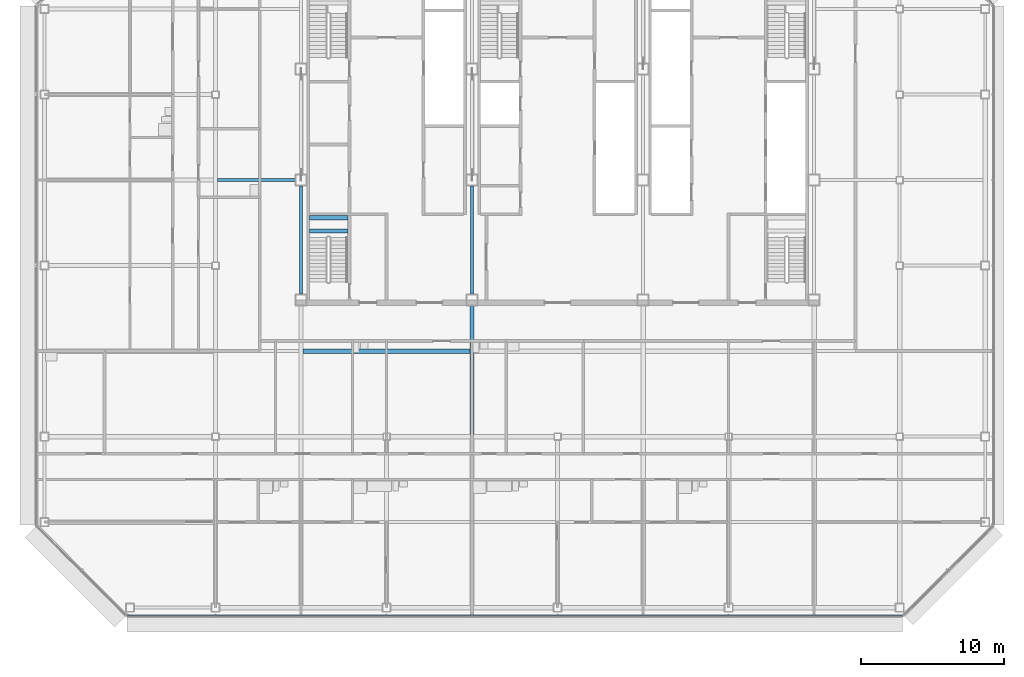
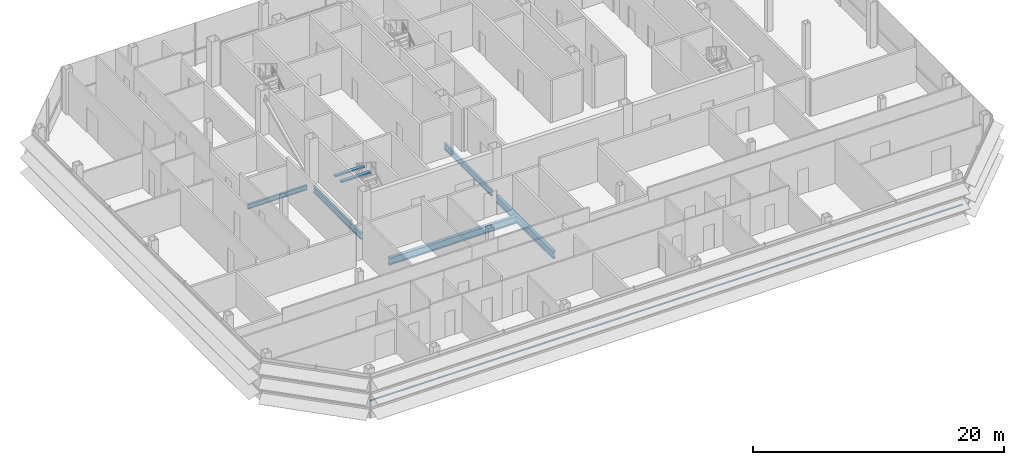
# One storey, part 8 of 29: 7 beams, 1 member, 1 element without a shape of its own.
"""IFC4 building model written with IfcOpenShell, lengths in metres."""

from ifc_helpers import new_model, si_unit, direction, frame, origin, origin_2d, place, context, subcontext, project, spatial, rectangle, i_section, extrude, material, material_profile, profile_set, type_object, element, aggregate, save


model = new_model("IFC4")

# Units and contexts
model_context = context("Model", 3, precision=1e-05, world=origin(), true_north=direction((0.0, 1.0)))
body_context = subcontext(model_context, "Body", "Model", "MODEL_VIEW")
ifc_project = project(units=[si_unit("LENGTHUNIT", "METRE"), si_unit("AREAUNIT", "SQUARE_METRE"), si_unit("VOLUMEUNIT", "CUBIC_METRE"), si_unit("PLANEANGLEUNIT", "RADIAN"), si_unit("MASSUNIT", "GRAM", prefix="KILO")], contexts=[model_context])

# Site, building, storey
site_placement = place(None, origin())
site = spatial("IfcSite", under=ifc_project, at=site_placement, CompositionType="ELEMENT")
building_placement = place(site_placement, origin())
building = spatial("IfcBuilding", under=site, at=building_placement, Name="Sorahane Residences", CompositionType="ELEMENT")
storey_placement = place(building_placement, frame((0.0, 0.0, 277.39990234375)))
storey = spatial("IfcBuildingStorey", under=building, at=storey_placement, Name="L66", CompositionType="ELEMENT", Elevation=277.39990234375)

# Curtain wall, member
ifc_material_1 = material(Name="Dark low-e glass and black anodised aluminium", Category="aluminium")
curtain_wall_type = type_object("IfcCurtainWallType", Name="Curtain wall CW-1 Typical unitised wall", PredefinedType="NOTDEFINED", material=ifc_material_1)
curtain_wall_placement = place(storey_placement, origin())
curtain_wall = element("IfcCurtainWall", 1, at=curtain_wall_placement, inside=storey, type_object=curtain_wall_type, Name="CW-1 curtain wall L66 S1", PredefinedType="NOTDEFINED")
ifc_material_2 = material(Name="Black anodised aluminium", Category="aluminium")
ifc_material_profile_1 = material_profile(ifc_material_2, rectangle(XDim=0.10009765625, YDim=0.06005859375, at=origin_2d()), Name="Curtain wall transom CW-1 black anodised aluminium 60x100")
ifc_profile_set_1 = profile_set([ifc_material_profile_1], Name="Black anodised aluminium")
member_type = type_object("IfcMemberType", Name="Curtain wall transom CW-1 black anodised aluminium 60x100", PredefinedType="USERDEFINED", material=ifc_profile_set_1)
member_placement = place(storey_placement, frame((-6.198486328125, -0.530029296875, 1.5), z_axis=(1.0, 0.0, 0.0), x_axis=(0.0, 1.0, 0.0)))
member = element("IfcMember", 2, at=member_placement, type_object=member_type, Name="CW-1 transom L66 S1", ObjectType="TRANSOM", PredefinedType="USERDEFINED", context=body_context, shape_type="SweptSolid", body=[
    extrude(rectangle(XDim=0.10009765625, YDim=0.06005859375, at=origin_2d()), origin(), (0.0, 0.0, 1.0), 54.39697265625),
])
aggregate(curtain_wall, [member])

# Beams
ifc_material_3 = material(Name="Concrete C40", Category="concrete")
ifc_material_profile_2 = material_profile(ifc_material_3, rectangle(XDim=0.300048828125, YDim=0.139892578125, at=origin_2d()), Name="300x140")
ifc_profile_set_2 = profile_set([ifc_material_profile_2], Name="Concrete C40")
beam_type_1 = type_object("IfcBeamType", Name="RC landing beam 300 x 140 Concrete C40", PredefinedType="BEAM", material=ifc_profile_set_2)
for number, where, z_axis, x_axis, name in (
    (3, (6.60009765625, 26.419921875, 1.93017578125), (1.0, 0.0, 0.0), (0.0, 1.0, 0.0), "Landing beam"),
    (4, (6.60009765625, 27.35009765625, 1.93017578125), (1.0, 0.0, 0.0), (0.0, 1.0, 0.0), "Landing beam"),
):
    element("IfcBeam", number, at=place(storey_placement, frame(where, z_axis=z_axis, x_axis=x_axis)), inside=storey, type_object=beam_type_1, Name=name, PredefinedType="BEAM", context=body_context, shape_type="SweptSolid", body=[
        extrude(rectangle(XDim=0.300048828125, YDim=0.139892578125, at=origin_2d()), origin(), (0.0, 0.0, 1.0), 2.699951171875),
    ])
ifc_material_4 = material(Name="Steel Q355B", Category="steel")
ifc_material_profile_3 = material_profile(ifc_material_4, i_section(OverallWidth=0.199951171875, OverallDepth=0.449951171875, WebThickness=0.009033203125, FlangeThickness=0.013916015625, FilletRadius=0.02001953125, at=origin_2d()), Name="HN 450x200x9x14")
ifc_profile_set_3 = profile_set([ifc_material_profile_3], Name="Steel Q355B")
beam_type_2 = type_object("IfcBeamType", Name="Steel floor beam HN 450x200x9x14 Q355B", PredefinedType="BEAM", material=ifc_profile_set_3)
beam_1_placement = place(storey_placement, frame((0.14990234375, 30.0, -0.40478515625), z_axis=(1.0, 0.0, 0.0), x_axis=(0.0, 1.0, 0.0)))
element("IfcBeam", 5, at=beam_1_placement, inside=storey, type_object=beam_type_2, Name="Beam L66 086", PredefinedType="BEAM", context=body_context, shape_type="SweptSolid", body=[
    extrude(i_section(OverallWidth=0.199951171875, OverallDepth=0.449951171875, WebThickness=0.009033203125, FlangeThickness=0.013916015625, FilletRadius=0.02001953125, at=origin_2d()), origin(), (0.0, 0.0, 1.0), 5.4501953125),
])
ifc_material_5 = material(Name="Steel Q355B", Category="steel")
ifc_material_profile_4 = material_profile(ifc_material_5, i_section(OverallWidth=0.199951171875, OverallDepth=0.60009765625, WebThickness=0.010986328125, FlangeThickness=0.01708984375, FilletRadius=0.02392578125, at=origin_2d()), Name="HN 600x200x11x17")
ifc_profile_set_4 = profile_set([ifc_material_profile_4], Name="Steel Q355B")
beam_type_3 = type_object("IfcBeamType", Name="Steel floor beam HN 600x200x11x17 Q355B", PredefinedType="BEAM", material=ifc_profile_set_4)
for number, where, z_axis, x_axis, name in (
    (6, (6.0, 22.0, -0.47998046875), (0.0, 1.0, 0.0), (-1.0, 0.0, 0.0), "Beam L66 030"),
    (7, (18.0, 22.0, -0.47998046875), (0.0, 1.0, 0.0), (-1.0, 0.0, 0.0), "Beam L66 038"),
):
    element("IfcBeam", number, at=place(storey_placement, frame(where, z_axis=z_axis, x_axis=x_axis)), inside=storey, type_object=beam_type_3, Name=name, PredefinedType="BEAM", context=body_context, shape_type="SweptSolid", body=[
        extrude(i_section(OverallWidth=0.199951171875, OverallDepth=0.60009765625, WebThickness=0.010986328125, FlangeThickness=0.01708984375, FilletRadius=0.02392578125, at=origin_2d()), origin(), (0.0, 0.0, 1.0), 7.60009765625),
    ])
ifc_material_6 = material(Name="Steel Q355B", Category="steel")
ifc_material_profile_5 = material_profile(ifc_material_6, i_section(OverallWidth=0.300048828125, OverallDepth=0.699951171875, WebThickness=0.012939453125, FlangeThickness=0.02392578125, FilletRadius=0.028076171875, at=origin_2d()), Name="HN 700x300x13x24")
ifc_profile_set_5 = profile_set([ifc_material_profile_5], Name="Steel Q355B")
beam_type_4 = type_object("IfcBeamType", Name="Steel floor beam HN 700x300x13x24 Q355B", PredefinedType="BEAM", material=ifc_profile_set_5)
beam_2_placement = place(storey_placement, frame((18.0, 12.14990234375, -0.52978515625), z_axis=(0.0, 1.0, 0.0), x_axis=(-1.0, 0.0, 0.0)))
element("IfcBeam", 8, at=beam_2_placement, inside=storey, type_object=beam_type_4, Name="Beam L66 037", PredefinedType="BEAM", context=body_context, shape_type="SweptSolid", body=[
    extrude(i_section(OverallWidth=0.300048828125, OverallDepth=0.699951171875, WebThickness=0.012939453125, FlangeThickness=0.02392578125, FilletRadius=0.028076171875, at=origin_2d()), origin(), (0.0, 0.0, 1.0), 9.050048828125),
])
beam_3_placement = place(storey_placement, frame((6.14990234375, 18.0, -0.52978515625), z_axis=(1.0, 0.0, 0.0), x_axis=(0.0, 1.0, 0.0)))
element("IfcBeam", 9, at=beam_3_placement, inside=storey, type_object=beam_type_4, Name="Beam L66 080", PredefinedType="BEAM", context=body_context, shape_type="SweptSolid", body=[
    extrude(i_section(OverallWidth=0.300048828125, OverallDepth=0.699951171875, WebThickness=0.012939453125, FlangeThickness=0.02392578125, FilletRadius=0.028076171875, at=origin_2d()), origin(), (0.0, 0.0, 1.0), 11.7001953125),
])

save(model, "model.ifc")
